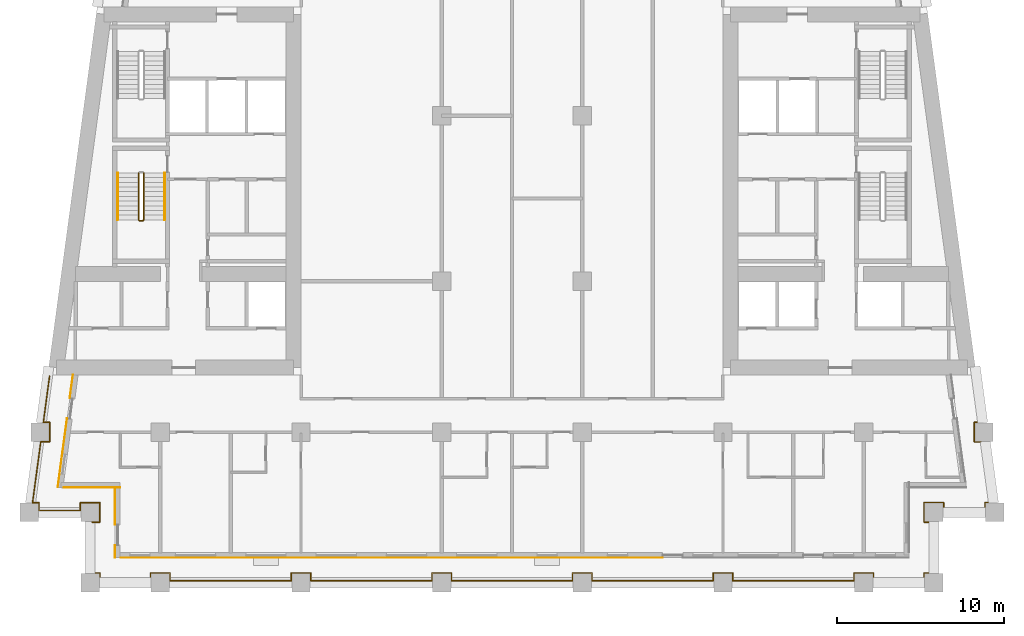
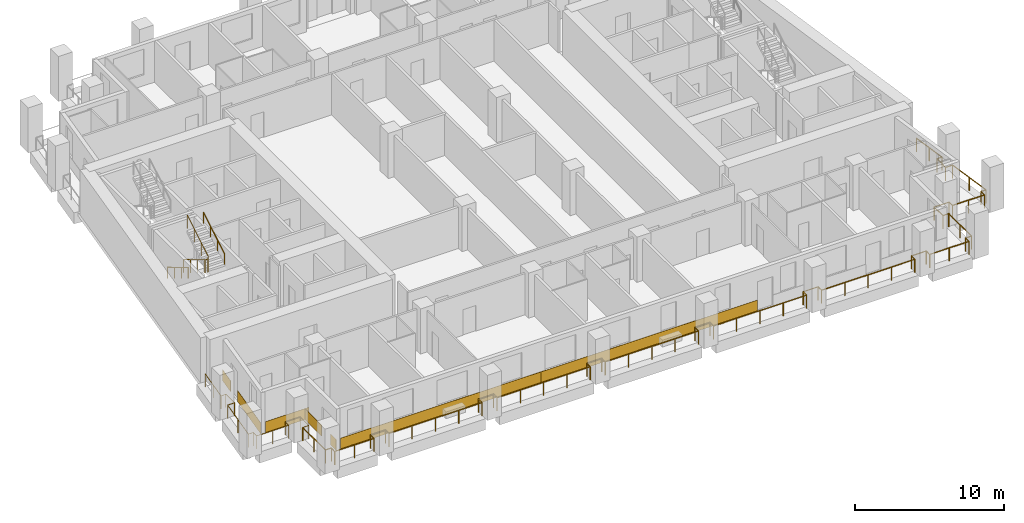
# One storey, part 9 of 13: 7 coverings, 5 railings.
"""IFC4 building model written with IfcOpenShell, lengths in metres."""

from ifc_helpers import new_model, si_unit, direction, frame, origin, origin_2d, place, context, subcontext, project, spatial, rectangle, circle, extrude, material, layer, layer_set, type_object, element, save


model = new_model("IFC4")

# Units and contexts
model_context = context("Model", 3, precision=1e-05, world=origin(), true_north=direction((0.0, 1.0)))
body_context = subcontext(model_context, "Body", "Model", "MODEL_VIEW")
ifc_project = project(units=[si_unit("LENGTHUNIT", "METRE"), si_unit("AREAUNIT", "SQUARE_METRE"), si_unit("VOLUMEUNIT", "CUBIC_METRE"), si_unit("PLANEANGLEUNIT", "RADIAN"), si_unit("MASSUNIT", "GRAM", prefix="KILO")], contexts=[model_context])

# Site, building, storey
site_placement = place(None, origin())
site = spatial("IfcSite", under=ifc_project, at=site_placement, CompositionType="ELEMENT")
building_placement = place(site_placement, origin())
building = spatial("IfcBuilding", under=site, at=building_placement, Name="Candeia Pilgrim Tower and Theatre", CompositionType="ELEMENT")
storey_placement = place(building_placement, frame((0.0, 0.0, 158.89990234375)))
storey = spatial("IfcBuildingStorey", under=building, at=storey_placement, Name="L37", CompositionType="ELEMENT", Elevation=158.89990234375)

# Railings
ifc_material_1 = material(Name="Stainless steel balustrade", Category="steel")
railing_type_1 = type_object("IfcRailingType", Name="G1 loggia guard 1100", PredefinedType="GUARDRAIL", material=ifc_material_1)
railing_1_placement = place(storey_placement, frame((88.320068359375, 101.6201171875, 0.0)))
element("IfcRailing", 1, at=railing_1_placement, inside=storey, type_object=railing_type_1, Name="Guard L37.1", PredefinedType="GUARDRAIL", context=body_context, shape_type="SweptSolid", body=[
    extrude(circle(Radius=0.02392578125, at=origin_2d()), frame((0.0, 0.0, 1.076171875), z_axis=(1.0, 0.0, 0.0), x_axis=(0.0, 1.0, 0.0)), (0.0, 0.0, 1.0), 0.4599609375),
    extrude(circle(Radius=0.02392578125, at=origin_2d()), frame((0.4599609375, 0.0, 1.076171875), z_axis=(0.0, 1.0, 0.0), x_axis=(-1.0, 0.0, 0.0)), (0.0, 0.0, 1.0), 1.159912109375),
    extrude(circle(Radius=0.02392578125, at=origin_2d()), frame((0.4599609375, 1.159912109375, 1.076171875), z_axis=(-1.0, 0.0, 0.0), x_axis=(0.0, -1.0, 0.0)), (0.0, 0.0, 1.0), 1.159912109375),
    extrude(circle(Radius=0.02392578125, at=origin_2d()), frame((-0.699951171875, 1.159912109375, 1.076171875), z_axis=(0.0, -1.0, 0.0), x_axis=(1.0, 0.0, 0.0)), (0.0, 0.0, 1.0), 0.4599609375),
    extrude(circle(Radius=0.02392578125, at=origin_2d()), frame((-0.699951171875, 0.699951171875, 1.076171875), z_axis=(-1.0, 0.0, 0.0), x_axis=(0.0, -1.0, 0.0)), (0.0, 0.0, 1.0), 2.474853515625),
    extrude(circle(Radius=0.02392578125, at=origin_2d()), frame((-3.1748046875, 0.699951171875, 1.076171875), z_axis=(0.0, 1.0, 0.0), x_axis=(-1.0, 0.0, 0.0)), (0.0, 0.0, 1.0), 0.4599609375),
    extrude(circle(Radius=0.02392578125, at=origin_2d()), frame((-3.1748046875, 1.159912109375, 1.076171875), z_axis=(-1.0, 0.0, 0.0), x_axis=(0.0, -1.0, 0.0)), (0.0, 0.0, 1.0), 0.380615234375),
    extrude(circle(Radius=0.02392578125, at=origin_2d()), frame((-3.555419921875, 1.159912109375, 1.076171875), z_axis=(0.133413267734, 0.9910604926, 0.0), x_axis=(-0.9910604926, 0.133413267734, 0.0)), (0.0, 0.0, 1.0), 3.672607421875),
    extrude(circle(Radius=0.02392578125, at=origin_2d()), frame((-3.0654296875, 4.7998046875, 1.076171875), z_axis=(1.0, 0.0, 0.0), x_axis=(0.0, 1.0, 0.0)), (0.0, 0.0, 1.0), 0.536865234375),
    extrude(circle(Radius=0.02392578125, at=origin_2d()), frame((-2.528564453125, 4.7998046875, 1.076171875), z_axis=(0.0, 1.0, 0.0), x_axis=(-1.0, 0.0, 0.0)), (0.0, 0.0, 1.0), 1.16015625),
    extrude(circle(Radius=0.02392578125, at=origin_2d()), frame((-2.528564453125, 5.9599609375, 1.076171875), z_axis=(-1.0, 0.0, 0.0), x_axis=(0.0, -1.0, 0.0)), (0.0, 0.0, 1.0), 0.380859375),
    extrude(circle(Radius=0.02392578125, at=origin_2d()), frame((-2.909423828125, 5.9599609375, 1.076171875), z_axis=(0.133468107709, 0.99105310868, 0.0), x_axis=(-0.99105310868, 0.133468107709, 0.0)), (0.0, 0.0, 1.0), 2.794921875),
    extrude(circle(Radius=0.02099609375, at=origin_2d()), origin(), (0.0, 0.0, 1.0), 1.052001953125),
    extrude(circle(Radius=0.02099609375, at=origin_2d()), frame((0.4599609375, 0.0, 0.0)), (0.0, 0.0, 1.0), 1.052001953125),
    extrude(circle(Radius=0.02099609375, at=origin_2d()), frame((0.4599609375, 1.159912109375, 0.0)), (0.0, 0.0, 1.0), 1.052001953125),
    extrude(circle(Radius=0.02099609375, at=origin_2d()), frame((-0.699951171875, 1.159912109375, 0.0)), (0.0, 0.0, 1.0), 1.052001953125),
    extrude(circle(Radius=0.02099609375, at=origin_2d()), frame((-0.699951171875, 0.699951171875, 0.0)), (0.0, 0.0, 1.0), 1.052001953125),
    extrude(circle(Radius=0.02099609375, at=origin_2d()), frame((-1.9375, 0.699951171875, 0.0)), (0.0, 0.0, 1.0), 1.052001953125),
    extrude(circle(Radius=0.02099609375, at=origin_2d()), frame((-3.1748046875, 0.699951171875, 0.0)), (0.0, 0.0, 1.0), 1.052001953125),
    extrude(circle(Radius=0.02099609375, at=origin_2d()), frame((-3.1748046875, 1.159912109375, 0.0)), (0.0, 0.0, 1.0), 1.052001953125),
    extrude(circle(Radius=0.02099609375, at=origin_2d()), frame((-3.555419921875, 1.159912109375, 0.0)), (0.0, 0.0, 1.0), 1.052001953125),
    extrude(circle(Radius=0.02099609375, at=origin_2d()), frame((-3.310546875, 2.97998046875, 0.0)), (0.0, 0.0, 1.0), 1.052001953125),
    extrude(circle(Radius=0.02099609375, at=origin_2d()), frame((-3.0654296875, 4.7998046875, 0.0)), (0.0, 0.0, 1.0), 1.052001953125),
    extrude(circle(Radius=0.02099609375, at=origin_2d()), frame((-2.528564453125, 4.7998046875, 0.0)), (0.0, 0.0, 1.0), 1.052001953125),
    extrude(circle(Radius=0.02099609375, at=origin_2d()), frame((-2.528564453125, 5.9599609375, 0.0)), (0.0, 0.0, 1.0), 1.052001953125),
    extrude(circle(Radius=0.02099609375, at=origin_2d()), frame((-2.909423828125, 5.9599609375, 0.0)), (0.0, 0.0, 1.0), 1.052001953125),
    extrude(circle(Radius=0.02099609375, at=origin_2d()), frame((-2.722900390625, 7.344970703125, 0.0)), (0.0, 0.0, 1.0), 1.052001953125),
    extrude(circle(Radius=0.02099609375, at=origin_2d()), frame((-2.536376953125, 8.72998046875, 0.0)), (0.0, 0.0, 1.0), 1.052001953125),
])
railing_2_placement = place(storey_placement, frame((141.016357421875, 110.35009765625, 0.0)))
element("IfcRailing", 2, at=railing_2_placement, inside=storey, type_object=railing_type_1, Name="Guard L37.4", PredefinedType="GUARDRAIL", context=body_context, shape_type="SweptSolid", body=[
    extrude(circle(Radius=0.02392578125, at=origin_2d()), frame((0.0, 0.0, 1.076171875), z_axis=(0.133468107709, -0.99105310868, 0.0), x_axis=(0.99105310868, 0.133468107709, 0.0)), (0.0, 0.0, 1.0), 2.794921875),
    extrude(circle(Radius=0.02392578125, at=origin_2d()), frame((0.373046875, -2.77001953125, 1.076171875), z_axis=(-1.0, 0.0, 0.0), x_axis=(0.0, -1.0, 0.0)), (0.0, 0.0, 1.0), 0.380859375),
    extrude(circle(Radius=0.02392578125, at=origin_2d()), frame((-0.0078125, -2.77001953125, 1.076171875), z_axis=(0.0, -1.0, 0.0), x_axis=(1.0, 0.0, 0.0)), (0.0, 0.0, 1.0), 1.16015625),
    extrude(circle(Radius=0.02392578125, at=origin_2d()), frame((-0.0078125, -3.93017578125, 1.076171875), z_axis=(1.0, 0.0, 0.0), x_axis=(0.0, 1.0, 0.0)), (0.0, 0.0, 1.0), 0.536865234375),
    extrude(circle(Radius=0.02392578125, at=origin_2d()), frame((0.529052734375, -3.93017578125, 1.076171875), z_axis=(0.133413267734, -0.9910604926, 0.0), x_axis=(0.9910604926, 0.133413267734, 0.0)), (0.0, 0.0, 1.0), 3.672607421875),
    extrude(circle(Radius=0.02392578125, at=origin_2d()), frame((1.01904296875, -7.570068359375, 1.076171875), z_axis=(-1.0, 0.0, 0.0), x_axis=(0.0, -1.0, 0.0)), (0.0, 0.0, 1.0), 0.380859375),
    extrude(circle(Radius=0.02392578125, at=origin_2d()), frame((0.63818359375, -7.570068359375, 1.076171875), z_axis=(0.0, -1.0, 0.0), x_axis=(1.0, 0.0, 0.0)), (0.0, 0.0, 1.0), 0.4599609375),
    extrude(circle(Radius=0.02392578125, at=origin_2d()), frame((0.63818359375, -8.030029296875, 1.076171875), z_axis=(-1.0, 0.0, 0.0), x_axis=(0.0, -1.0, 0.0)), (0.0, 0.0, 1.0), 2.474609375),
    extrude(circle(Radius=0.02392578125, at=origin_2d()), frame((-1.83642578125, -8.030029296875, 1.076171875), z_axis=(0.0, 1.0, 0.0), x_axis=(-1.0, 0.0, 0.0)), (0.0, 0.0, 1.0), 0.4599609375),
    extrude(circle(Radius=0.02392578125, at=origin_2d()), frame((-1.83642578125, -7.570068359375, 1.076171875), z_axis=(-1.0, 0.0, 0.0), x_axis=(0.0, -1.0, 0.0)), (0.0, 0.0, 1.0), 1.159912109375),
    extrude(circle(Radius=0.02392578125, at=origin_2d()), frame((-2.996337890625, -7.570068359375, 1.076171875), z_axis=(0.0, -1.0, 0.0), x_axis=(1.0, 0.0, 0.0)), (0.0, 0.0, 1.0), 1.159912109375),
    extrude(circle(Radius=0.02392578125, at=origin_2d()), frame((-2.996337890625, -8.72998046875, 1.076171875), z_axis=(1.0, 0.0, 0.0), x_axis=(0.0, 1.0, 0.0)), (0.0, 0.0, 1.0), 0.4599609375),
    extrude(circle(Radius=0.02392578125, at=origin_2d()), frame((-2.536376953125, -8.72998046875, 1.076171875), z_axis=(0.0, -1.0, 0.0), x_axis=(1.0, 0.0, 0.0)), (0.0, 0.0, 1.0), 3.0400390625),
    extrude(circle(Radius=0.02392578125, at=origin_2d()), frame((-2.536376953125, -11.77001953125, 1.076171875), z_axis=(-1.0, 0.0, 0.0), x_axis=(0.0, -1.0, 0.0)), (0.0, 0.0, 1.0), 0.4599609375),
    extrude(circle(Radius=0.02392578125, at=origin_2d()), frame((-2.996337890625, -11.77001953125, 1.076171875), z_axis=(0.0, -1.0, 0.0), x_axis=(1.0, 0.0, 0.0)), (0.0, 0.0, 1.0), 0.4599609375),
    extrude(circle(Radius=0.02392578125, at=origin_2d()), frame((-2.996337890625, -12.22998046875, 1.076171875), z_axis=(-1.0, 0.0, 0.0), x_axis=(0.0, -1.0, 0.0)), (0.0, 0.0, 1.0), 3.0400390625),
    extrude(circle(Radius=0.02392578125, at=origin_2d()), frame((-6.036376953125, -12.22998046875, 1.076171875), z_axis=(0.0, 1.0, 0.0), x_axis=(-1.0, 0.0, 0.0)), (0.0, 0.0, 1.0), 0.4599609375),
    extrude(circle(Radius=0.02392578125, at=origin_2d()), frame((-6.036376953125, -11.77001953125, 1.076171875), z_axis=(-1.0, 0.0, 0.0), x_axis=(0.0, -1.0, 0.0)), (0.0, 0.0, 1.0), 1.159912109375),
    extrude(circle(Radius=0.02392578125, at=origin_2d()), frame((-7.1962890625, -11.77001953125, 1.076171875), z_axis=(0.0, -1.0, 0.0), x_axis=(1.0, 0.0, 0.0)), (0.0, 0.0, 1.0), 0.4599609375),
    extrude(circle(Radius=0.02392578125, at=origin_2d()), frame((-7.1962890625, -12.22998046875, 1.076171875), z_axis=(-1.0, 0.0, 0.0), x_axis=(0.0, -1.0, 0.0)), (0.0, 0.0, 1.0), 7.239990234375),
    extrude(circle(Radius=0.02392578125, at=origin_2d()), frame((-14.436279296875, -12.22998046875, 1.076171875), z_axis=(0.0, 1.0, 0.0), x_axis=(-1.0, 0.0, 0.0)), (0.0, 0.0, 1.0), 0.4599609375),
    extrude(circle(Radius=0.02392578125, at=origin_2d()), frame((-14.436279296875, -11.77001953125, 1.076171875), z_axis=(-1.0, 0.0, 0.0), x_axis=(0.0, -1.0, 0.0)), (0.0, 0.0, 1.0), 1.16015625),
    extrude(circle(Radius=0.02392578125, at=origin_2d()), frame((-15.596435546875, -11.77001953125, 1.076171875), z_axis=(0.0, -1.0, 0.0), x_axis=(1.0, 0.0, 0.0)), (0.0, 0.0, 1.0), 0.4599609375),
    extrude(circle(Radius=0.02392578125, at=origin_2d()), frame((-15.596435546875, -12.22998046875, 1.076171875), z_axis=(-1.0, 0.0, 0.0), x_axis=(0.0, -1.0, 0.0)), (0.0, 0.0, 1.0), 7.239990234375),
    extrude(circle(Radius=0.02392578125, at=origin_2d()), frame((-22.83642578125, -12.22998046875, 1.076171875), z_axis=(0.0, 1.0, 0.0), x_axis=(-1.0, 0.0, 0.0)), (0.0, 0.0, 1.0), 0.4599609375),
    extrude(circle(Radius=0.02392578125, at=origin_2d()), frame((-22.83642578125, -11.77001953125, 1.076171875), z_axis=(-1.0, 0.0, 0.0), x_axis=(0.0, -1.0, 0.0)), (0.0, 0.0, 1.0), 1.159912109375),
    extrude(circle(Radius=0.02392578125, at=origin_2d()), frame((-23.996337890625, -11.77001953125, 1.076171875), z_axis=(0.0, -1.0, 0.0), x_axis=(1.0, 0.0, 0.0)), (0.0, 0.0, 1.0), 0.4599609375),
    extrude(circle(Radius=0.02392578125, at=origin_2d()), frame((-23.996337890625, -12.22998046875, 1.076171875), z_axis=(-1.0, 0.0, 0.0), x_axis=(0.0, -1.0, 0.0)), (0.0, 0.0, 1.0), 7.239990234375),
    extrude(circle(Radius=0.02392578125, at=origin_2d()), frame((-31.236328125, -12.22998046875, 1.076171875), z_axis=(0.0, 1.0, 0.0), x_axis=(-1.0, 0.0, 0.0)), (0.0, 0.0, 1.0), 0.4599609375),
    extrude(circle(Radius=0.02392578125, at=origin_2d()), frame((-31.236328125, -11.77001953125, 1.076171875), z_axis=(-1.0, 0.0, 0.0), x_axis=(0.0, -1.0, 0.0)), (0.0, 0.0, 1.0), 1.159912109375),
    extrude(circle(Radius=0.02392578125, at=origin_2d()), frame((-32.396240234375, -11.77001953125, 1.076171875), z_axis=(0.0, -1.0, 0.0), x_axis=(1.0, 0.0, 0.0)), (0.0, 0.0, 1.0), 0.4599609375),
    extrude(circle(Radius=0.02392578125, at=origin_2d()), frame((-32.396240234375, -12.22998046875, 1.076171875), z_axis=(-1.0, 0.0, 0.0), x_axis=(0.0, -1.0, 0.0)), (0.0, 0.0, 1.0), 7.240234375),
    extrude(circle(Radius=0.02392578125, at=origin_2d()), frame((-39.636474609375, -12.22998046875, 1.076171875), z_axis=(0.0, 1.0, 0.0), x_axis=(-1.0, 0.0, 0.0)), (0.0, 0.0, 1.0), 0.4599609375),
    extrude(circle(Radius=0.02392578125, at=origin_2d()), frame((-39.636474609375, -11.77001953125, 1.076171875), z_axis=(-1.0, 0.0, 0.0), x_axis=(0.0, -1.0, 0.0)), (0.0, 0.0, 1.0), 1.159912109375),
    extrude(circle(Radius=0.02392578125, at=origin_2d()), frame((-40.79638671875, -11.77001953125, 1.076171875), z_axis=(0.0, -1.0, 0.0), x_axis=(1.0, 0.0, 0.0)), (0.0, 0.0, 1.0), 0.4599609375),
    extrude(circle(Radius=0.02392578125, at=origin_2d()), frame((-40.79638671875, -12.22998046875, 1.076171875), z_axis=(-1.0, 0.0, 0.0), x_axis=(0.0, -1.0, 0.0)), (0.0, 0.0, 1.0), 7.239990234375),
    extrude(circle(Radius=0.02392578125, at=origin_2d()), frame((-48.036376953125, -12.22998046875, 1.076171875), z_axis=(0.0, 1.0, 0.0), x_axis=(-1.0, 0.0, 0.0)), (0.0, 0.0, 1.0), 0.4599609375),
    extrude(circle(Radius=0.02392578125, at=origin_2d()), frame((-48.036376953125, -11.77001953125, 1.076171875), z_axis=(-1.0, 0.0, 0.0), x_axis=(0.0, -1.0, 0.0)), (0.0, 0.0, 1.0), 1.159912109375),
    extrude(circle(Radius=0.02392578125, at=origin_2d()), frame((-49.1962890625, -11.77001953125, 1.076171875), z_axis=(0.0, -1.0, 0.0), x_axis=(1.0, 0.0, 0.0)), (0.0, 0.0, 1.0), 0.4599609375),
    extrude(circle(Radius=0.02392578125, at=origin_2d()), frame((-49.1962890625, -12.22998046875, 1.076171875), z_axis=(-1.0, 0.0, 0.0), x_axis=(0.0, -1.0, 0.0)), (0.0, 0.0, 1.0), 3.0400390625),
    extrude(circle(Radius=0.02392578125, at=origin_2d()), frame((-52.236328125, -12.22998046875, 1.076171875), z_axis=(0.0, 1.0, 0.0), x_axis=(-1.0, 0.0, 0.0)), (0.0, 0.0, 1.0), 0.4599609375),
    extrude(circle(Radius=0.02392578125, at=origin_2d()), frame((-52.236328125, -11.77001953125, 1.076171875), z_axis=(-1.0, 0.0, 0.0), x_axis=(0.0, -1.0, 0.0)), (0.0, 0.0, 1.0), 0.4599609375),
    extrude(circle(Radius=0.02392578125, at=origin_2d()), frame((-52.6962890625, -11.77001953125, 1.076171875), z_axis=(0.0, 1.0, 0.0), x_axis=(-1.0, 0.0, 0.0)), (0.0, 0.0, 1.0), 3.0400390625),
    extrude(circle(Radius=0.02099609375, at=origin_2d()), origin(), (0.0, 0.0, 1.0), 1.052001953125),
    extrude(circle(Radius=0.02099609375, at=origin_2d()), frame((0.1865234375, -1.385009765625, 0.0)), (0.0, 0.0, 1.0), 1.052001953125),
    extrude(circle(Radius=0.02099609375, at=origin_2d()), frame((0.373046875, -2.77001953125, 0.0)), (0.0, 0.0, 1.0), 1.052001953125),
    extrude(circle(Radius=0.02099609375, at=origin_2d()), frame((-0.0078125, -2.77001953125, 0.0)), (0.0, 0.0, 1.0), 1.052001953125),
    extrude(circle(Radius=0.02099609375, at=origin_2d()), frame((-0.0078125, -3.93017578125, 0.0)), (0.0, 0.0, 1.0), 1.052001953125),
    extrude(circle(Radius=0.02099609375, at=origin_2d()), frame((0.529052734375, -3.93017578125, 0.0)), (0.0, 0.0, 1.0), 1.052001953125),
    extrude(circle(Radius=0.02099609375, at=origin_2d()), frame((0.77392578125, -5.75, 0.0)), (0.0, 0.0, 1.0), 1.052001953125),
    extrude(circle(Radius=0.02099609375, at=origin_2d()), frame((1.01904296875, -7.570068359375, 0.0)), (0.0, 0.0, 1.0), 1.052001953125),
    extrude(circle(Radius=0.02099609375, at=origin_2d()), frame((0.63818359375, -7.570068359375, 0.0)), (0.0, 0.0, 1.0), 1.052001953125),
    extrude(circle(Radius=0.02099609375, at=origin_2d()), frame((0.63818359375, -8.030029296875, 0.0)), (0.0, 0.0, 1.0), 1.052001953125),
    extrude(circle(Radius=0.02099609375, at=origin_2d()), frame((-0.59912109375, -8.030029296875, 0.0)), (0.0, 0.0, 1.0), 1.052001953125),
    extrude(circle(Radius=0.02099609375, at=origin_2d()), frame((-1.83642578125, -8.030029296875, 0.0)), (0.0, 0.0, 1.0), 1.052001953125),
    extrude(circle(Radius=0.02099609375, at=origin_2d()), frame((-1.83642578125, -7.570068359375, 0.0)), (0.0, 0.0, 1.0), 1.052001953125),
    extrude(circle(Radius=0.02099609375, at=origin_2d()), frame((-2.996337890625, -7.570068359375, 0.0)), (0.0, 0.0, 1.0), 1.052001953125),
    extrude(circle(Radius=0.02099609375, at=origin_2d()), frame((-2.996337890625, -8.72998046875, 0.0)), (0.0, 0.0, 1.0), 1.052001953125),
    extrude(circle(Radius=0.02099609375, at=origin_2d()), frame((-2.536376953125, -8.72998046875, 0.0)), (0.0, 0.0, 1.0), 1.052001953125),
    extrude(circle(Radius=0.02099609375, at=origin_2d()), frame((-2.536376953125, -10.25, 0.0)), (0.0, 0.0, 1.0), 1.052001953125),
    extrude(circle(Radius=0.02099609375, at=origin_2d()), frame((-2.536376953125, -11.77001953125, 0.0)), (0.0, 0.0, 1.0), 1.052001953125),
    extrude(circle(Radius=0.02099609375, at=origin_2d()), frame((-2.996337890625, -11.77001953125, 0.0)), (0.0, 0.0, 1.0), 1.052001953125),
    extrude(circle(Radius=0.02099609375, at=origin_2d()), frame((-2.996337890625, -12.22998046875, 0.0)), (0.0, 0.0, 1.0), 1.052001953125),
    extrude(circle(Radius=0.02099609375, at=origin_2d()), frame((-4.516357421875, -12.22998046875, 0.0)), (0.0, 0.0, 1.0), 1.052001953125),
    extrude(circle(Radius=0.02099609375, at=origin_2d()), frame((-6.036376953125, -12.22998046875, 0.0)), (0.0, 0.0, 1.0), 1.052001953125),
    extrude(circle(Radius=0.02099609375, at=origin_2d()), frame((-6.036376953125, -11.77001953125, 0.0)), (0.0, 0.0, 1.0), 1.052001953125),
    extrude(circle(Radius=0.02099609375, at=origin_2d()), frame((-7.1962890625, -11.77001953125, 0.0)), (0.0, 0.0, 1.0), 1.052001953125),
    extrude(circle(Radius=0.02099609375, at=origin_2d()), frame((-7.1962890625, -12.22998046875, 0.0)), (0.0, 0.0, 1.0), 1.052001953125),
    extrude(circle(Radius=0.02099609375, at=origin_2d()), frame((-9.00634765625, -12.22998046875, 0.0)), (0.0, 0.0, 1.0), 1.052001953125),
    extrude(circle(Radius=0.02099609375, at=origin_2d()), frame((-10.81640625, -12.22998046875, 0.0)), (0.0, 0.0, 1.0), 1.052001953125),
    extrude(circle(Radius=0.02099609375, at=origin_2d()), frame((-12.626220703125, -12.22998046875, 0.0)), (0.0, 0.0, 1.0), 1.052001953125),
    extrude(circle(Radius=0.02099609375, at=origin_2d()), frame((-14.436279296875, -12.22998046875, 0.0)), (0.0, 0.0, 1.0), 1.052001953125),
    extrude(circle(Radius=0.02099609375, at=origin_2d()), frame((-14.436279296875, -11.77001953125, 0.0)), (0.0, 0.0, 1.0), 1.052001953125),
    extrude(circle(Radius=0.02099609375, at=origin_2d()), frame((-15.596435546875, -11.77001953125, 0.0)), (0.0, 0.0, 1.0), 1.052001953125),
    extrude(circle(Radius=0.02099609375, at=origin_2d()), frame((-15.596435546875, -12.22998046875, 0.0)), (0.0, 0.0, 1.0), 1.052001953125),
    extrude(circle(Radius=0.02099609375, at=origin_2d()), frame((-17.406494140625, -12.22998046875, 0.0)), (0.0, 0.0, 1.0), 1.052001953125),
    extrude(circle(Radius=0.02099609375, at=origin_2d()), frame((-19.21630859375, -12.22998046875, 0.0)), (0.0, 0.0, 1.0), 1.052001953125),
    extrude(circle(Radius=0.02099609375, at=origin_2d()), frame((-21.0263671875, -12.22998046875, 0.0)), (0.0, 0.0, 1.0), 1.052001953125),
    extrude(circle(Radius=0.02099609375, at=origin_2d()), frame((-22.83642578125, -12.22998046875, 0.0)), (0.0, 0.0, 1.0), 1.052001953125),
    extrude(circle(Radius=0.02099609375, at=origin_2d()), frame((-22.83642578125, -11.77001953125, 0.0)), (0.0, 0.0, 1.0), 1.052001953125),
    extrude(circle(Radius=0.02099609375, at=origin_2d()), frame((-23.996337890625, -11.77001953125, 0.0)), (0.0, 0.0, 1.0), 1.052001953125),
    extrude(circle(Radius=0.02099609375, at=origin_2d()), frame((-23.996337890625, -12.22998046875, 0.0)), (0.0, 0.0, 1.0), 1.052001953125),
    extrude(circle(Radius=0.02099609375, at=origin_2d()), frame((-25.806396484375, -12.22998046875, 0.0)), (0.0, 0.0, 1.0), 1.052001953125),
    extrude(circle(Radius=0.02099609375, at=origin_2d()), frame((-27.6162109375, -12.22998046875, 0.0)), (0.0, 0.0, 1.0), 1.052001953125),
    extrude(circle(Radius=0.02099609375, at=origin_2d()), frame((-29.42626953125, -12.22998046875, 0.0)), (0.0, 0.0, 1.0), 1.052001953125),
    extrude(circle(Radius=0.02099609375, at=origin_2d()), frame((-31.236328125, -12.22998046875, 0.0)), (0.0, 0.0, 1.0), 1.052001953125),
    extrude(circle(Radius=0.02099609375, at=origin_2d()), frame((-31.236328125, -11.77001953125, 0.0)), (0.0, 0.0, 1.0), 1.052001953125),
    extrude(circle(Radius=0.02099609375, at=origin_2d()), frame((-32.396240234375, -11.77001953125, 0.0)), (0.0, 0.0, 1.0), 1.052001953125),
    extrude(circle(Radius=0.02099609375, at=origin_2d()), frame((-32.396240234375, -12.22998046875, 0.0)), (0.0, 0.0, 1.0), 1.052001953125),
    extrude(circle(Radius=0.02099609375, at=origin_2d()), frame((-34.206298828125, -12.22998046875, 0.0)), (0.0, 0.0, 1.0), 1.052001953125),
    extrude(circle(Radius=0.02099609375, at=origin_2d()), frame((-36.016357421875, -12.22998046875, 0.0)), (0.0, 0.0, 1.0), 1.052001953125),
    extrude(circle(Radius=0.02099609375, at=origin_2d()), frame((-37.826416015625, -12.22998046875, 0.0)), (0.0, 0.0, 1.0), 1.052001953125),
    extrude(circle(Radius=0.02099609375, at=origin_2d()), frame((-39.636474609375, -12.22998046875, 0.0)), (0.0, 0.0, 1.0), 1.052001953125),
    extrude(circle(Radius=0.02099609375, at=origin_2d()), frame((-39.636474609375, -11.77001953125, 0.0)), (0.0, 0.0, 1.0), 1.052001953125),
    extrude(circle(Radius=0.02099609375, at=origin_2d()), frame((-40.79638671875, -11.77001953125, 0.0)), (0.0, 0.0, 1.0), 1.052001953125),
    extrude(circle(Radius=0.02099609375, at=origin_2d()), frame((-40.79638671875, -12.22998046875, 0.0)), (0.0, 0.0, 1.0), 1.052001953125),
    extrude(circle(Radius=0.02099609375, at=origin_2d()), frame((-42.6064453125, -12.22998046875, 0.0)), (0.0, 0.0, 1.0), 1.052001953125),
    extrude(circle(Radius=0.02099609375, at=origin_2d()), frame((-44.41650390625, -12.22998046875, 0.0)), (0.0, 0.0, 1.0), 1.052001953125),
    extrude(circle(Radius=0.02099609375, at=origin_2d()), frame((-46.226318359375, -12.22998046875, 0.0)), (0.0, 0.0, 1.0), 1.052001953125),
    extrude(circle(Radius=0.02099609375, at=origin_2d()), frame((-48.036376953125, -12.22998046875, 0.0)), (0.0, 0.0, 1.0), 1.052001953125),
    extrude(circle(Radius=0.02099609375, at=origin_2d()), frame((-48.036376953125, -11.77001953125, 0.0)), (0.0, 0.0, 1.0), 1.052001953125),
    extrude(circle(Radius=0.02099609375, at=origin_2d()), frame((-49.1962890625, -11.77001953125, 0.0)), (0.0, 0.0, 1.0), 1.052001953125),
    extrude(circle(Radius=0.02099609375, at=origin_2d()), frame((-49.1962890625, -12.22998046875, 0.0)), (0.0, 0.0, 1.0), 1.052001953125),
    extrude(circle(Radius=0.02099609375, at=origin_2d()), frame((-50.71630859375, -12.22998046875, 0.0)), (0.0, 0.0, 1.0), 1.052001953125),
    extrude(circle(Radius=0.02099609375, at=origin_2d()), frame((-52.236328125, -12.22998046875, 0.0)), (0.0, 0.0, 1.0), 1.052001953125),
    extrude(circle(Radius=0.02099609375, at=origin_2d()), frame((-52.236328125, -11.77001953125, 0.0)), (0.0, 0.0, 1.0), 1.052001953125),
    extrude(circle(Radius=0.02099609375, at=origin_2d()), frame((-52.6962890625, -11.77001953125, 0.0)), (0.0, 0.0, 1.0), 1.052001953125),
    extrude(circle(Radius=0.02099609375, at=origin_2d()), frame((-52.6962890625, -10.25, 0.0)), (0.0, 0.0, 1.0), 1.052001953125),
    extrude(circle(Radius=0.02099609375, at=origin_2d()), frame((-52.6962890625, -8.72998046875, 0.0)), (0.0, 0.0, 1.0), 1.052001953125),
])

# Coverings
ifc_material_2 = material(Name="Glazed ceramic tile red")
ifc_layer_1 = layer(ifc_material_2, 0.02001953125)
ifc_layer_set_1 = layer_set([ifc_layer_1], Name="Glazed ceramic tile red")
covering_type_1 = type_object("IfcCoveringType", Name="Glazed ceramic tile red", PredefinedType="CLADDING", material=ifc_layer_set_1)
covering_1_placement = place(storey_placement, frame((114.0, 99.489990234375, 0.000244140625), z_axis=(0.0, 0.0, 1.0), x_axis=(1.0, 0.0, 0.0)))
element("IfcCovering", 3, at=covering_1_placement, inside=storey, type_object=covering_type_1, Name="Tile cladding red L37", PredefinedType="CLADDING", context=body_context, shape_type="SweptSolid", body=[
    extrude(rectangle(XDim=16.800048828125, YDim=0.02001953125, at=origin_2d()), origin(), (0.0, 0.0, 1.0), 0.89990234375),
])
ifc_material_3 = material(Name="Glazed ceramic tile rust")
ifc_layer_2 = layer(ifc_material_3, 0.02001953125)
ifc_layer_set_2 = layer_set([ifc_layer_2], Name="Glazed ceramic tile rust")
covering_type_2 = type_object("IfcCoveringType", Name="Glazed ceramic tile rust", PredefinedType="CLADDING", material=ifc_layer_set_2)
covering_2_placement = place(storey_placement, frame((97.81005859375, 99.489990234375, 0.000244140625), z_axis=(0.0, 0.0, 1.0), x_axis=(1.0, 0.0, 0.0)))
element("IfcCovering", 4, at=covering_2_placement, inside=storey, type_object=covering_type_2, Name="Tile cladding rust L37", PredefinedType="CLADDING", context=body_context, shape_type="SweptSolid", body=[
    extrude(rectangle(XDim=15.580078125, YDim=0.02001953125, at=origin_2d()), origin(), (0.0, 0.0, 1.0), 0.89990234375),
])
covering_3_placement = place(storey_placement, frame((87.0810546875, 109.71875, 0.000244140625), z_axis=(0.0, 0.0, 1.0), x_axis=(-0.133412012145, -0.991060661622, 0.0)))
element("IfcCovering", 5, at=covering_3_placement, inside=storey, type_object=covering_type_2, Name="Tile cladding rust L37", PredefinedType="CLADDING", context=body_context, shape_type="SweptSolid", body=[
    extrude(rectangle(XDim=1.41796875, YDim=0.02001953125, at=origin_2d()), origin(), (0.0, 0.0, 1.0), 0.89990234375),
])
covering_4_placement = place(storey_placement, frame((86.548583984375, 105.763916015625, 0.000244140625), z_axis=(0.0, 0.0, 1.0), x_axis=(-0.133412012145, -0.991060661622, 0.0)))
element("IfcCovering", 6, at=covering_4_placement, inside=storey, type_object=covering_type_2, Name="Tile cladding rust L37", PredefinedType="CLADDING", context=body_context, shape_type="SweptSolid", body=[
    extrude(rectangle(XDim=4.16259765625, YDim=0.02001953125, at=origin_2d()), origin(), (0.0, 0.0, 1.0), 0.89990234375),
])
covering_5_placement = place(storey_placement, frame((88.311279296875, 103.68994140625, 0.000244140625), z_axis=(0.0, 0.0, 1.0), x_axis=(1.0, 0.0, 0.0)))
element("IfcCovering", 7, at=covering_5_placement, inside=storey, type_object=covering_type_2, Name="Tile cladding rust L37", PredefinedType="CLADDING", context=body_context, shape_type="SweptSolid", body=[
    extrude(rectangle(XDim=3.377685546875, YDim=0.02001953125, at=origin_2d()), origin(), (0.0, 0.0, 1.0), 0.89990234375),
])
covering_6_placement = place(storey_placement, frame((89.68994140625, 102.56494140625, 0.000244140625), z_axis=(0.0, 0.0, 1.0), x_axis=(0.0, -1.0, 0.0)))
element("IfcCovering", 8, at=covering_6_placement, inside=storey, type_object=covering_type_2, Name="Tile cladding rust L37", PredefinedType="CLADDING", context=body_context, shape_type="SweptSolid", body=[
    extrude(rectangle(XDim=2.22998046875, YDim=0.02001953125, at=origin_2d()), origin(), (0.0, 0.0, 1.0), 0.89990234375),
])
covering_7_placement = place(storey_placement, frame((89.68994140625, 99.875, 0.000244140625), z_axis=(0.0, 0.0, 1.0), x_axis=(0.0, -1.0, 0.0)))
element("IfcCovering", 9, at=covering_7_placement, inside=storey, type_object=covering_type_2, Name="Tile cladding rust L37", PredefinedType="CLADDING", context=body_context, shape_type="SweptSolid", body=[
    extrude(rectangle(XDim=0.75, YDim=0.02001953125, at=origin_2d()), origin(), (0.0, 0.0, 1.0), 0.89990234375),
])

# Railings
railing_type_2 = type_object("IfcRailingType", Name="RL-GUARD-1100", PredefinedType="GUARDRAIL", material=ifc_material_1)
railing_3_placement = place(storey_placement, frame((91.10205078125, 122.47509765625, 0.168212890625)))
element("IfcRailing", 10, at=railing_3_placement, inside=storey, type_object=railing_type_2, Name="L37 ST1 stair guard 1", PredefinedType="GUARDRAIL", context=body_context, shape_type="SweptSolid", body=[
    extrude(circle(Radius=0.02392578125, at=origin_2d()), frame((0.0, 0.0, 1.076171875), z_axis=(0.0, -0.857242210791, 0.514913383045), x_axis=(1.0, 0.0, 0.0)), (0.0, 0.0, 1.0), 3.266357421875),
    extrude(circle(Radius=0.02392578125, at=origin_2d()), frame((0.0, -2.800048828125, 2.7578125), z_axis=(0.707106781187, -0.707106781187, 0.0), x_axis=(0.707106781187, 0.707106781187, 0.0)), (0.0, 0.0, 1.0), 0.07080078125),
    extrude(circle(Radius=0.02392578125, at=origin_2d()), frame((0.050048828125, -2.85009765625, 2.7578125), z_axis=(1.0, 0.0, 0.0), x_axis=(0.0, 1.0, 0.0)), (0.0, 0.0, 1.0), 0.199951171875),
    extrude(circle(Radius=0.02392578125, at=origin_2d()), frame((0.25, -2.85009765625, 2.7578125), z_axis=(0.274243871929, 0.274243871929, 0.92172696468), x_axis=(-0.707106781187, 0.707106781187, 0.0)), (0.0, 0.0, 1.0), 0.1826171875),
    extrude(circle(Radius=0.02392578125, at=origin_2d()), frame((0.300048828125, -2.800048828125, 2.92626953125), z_axis=(0.0, 0.857242210791, 0.514913383045), x_axis=(-1.0, 0.0, 0.0)), (0.0, 0.0, 1.0), 3.266357421875),
    extrude(circle(Radius=0.02099609375, at=origin_2d()), origin(), (0.0, 0.0, 1.0), 1.052001953125),
    extrude(circle(Radius=0.02099609375, at=origin_2d()), frame((0.0, -0.933349609375, 0.560546875)), (0.0, 0.0, 1.0), 1.052001953125),
    extrude(circle(Radius=0.02099609375, at=origin_2d()), frame((0.0, -1.86669921875, 1.121337890625)), (0.0, 0.0, 1.0), 1.052001953125),
    extrude(circle(Radius=0.02099609375, at=origin_2d()), frame((0.0, -2.800048828125, 1.681884765625)), (0.0, 0.0, 1.0), 1.052001953125),
    extrude(circle(Radius=0.02099609375, at=origin_2d()), frame((0.050048828125, -2.85009765625, 1.681884765625)), (0.0, 0.0, 1.0), 1.052001953125),
    extrude(circle(Radius=0.02099609375, at=origin_2d()), frame((0.25, -2.85009765625, 1.681884765625)), (0.0, 0.0, 1.0), 1.052001953125),
    extrude(circle(Radius=0.02099609375, at=origin_2d()), frame((0.300048828125, -2.800048828125, 1.85009765625)), (0.0, 0.0, 1.0), 1.052001953125),
    extrude(circle(Radius=0.02099609375, at=origin_2d()), frame((0.300048828125, -1.86669921875, 2.41064453125)), (0.0, 0.0, 1.0), 1.052001953125),
    extrude(circle(Radius=0.02099609375, at=origin_2d()), frame((0.300048828125, -0.933349609375, 2.971435546875)), (0.0, 0.0, 1.0), 1.052001953125),
    extrude(circle(Radius=0.02099609375, at=origin_2d()), frame((0.300048828125, 0.0, 3.531982421875)), (0.0, 0.0, 1.0), 1.052001953125),
])
ifc_material_4 = material(Name="Stainless steel handrail", Category="steel")
railing_type_3 = type_object("IfcRailingType", Name="RL-HANDRAIL-900", PredefinedType="HANDRAIL", material=ifc_material_4)
railing_4_placement = place(storey_placement, frame((89.85205078125, 122.47509765625, 0.168212890625)))
element("IfcRailing", 11, at=railing_4_placement, inside=storey, type_object=railing_type_3, Name="L37 ST1 stair handrail 1", PredefinedType="HANDRAIL", context=body_context, shape_type="SweptSolid", body=[
    extrude(circle(Radius=0.02392578125, at=origin_2d()), frame((0.0, 0.0, 0.8759765625), z_axis=(0.0, -0.857242210791, 0.514913383045), x_axis=(1.0, 0.0, 0.0)), (0.0, 0.0, 1.0), 3.266357421875),
    extrude(circle(Radius=0.02099609375, at=origin_2d()), origin(), (0.0, 0.0, 1.0), 0.851806640625),
    extrude(circle(Radius=0.02099609375, at=origin_2d()), frame((0.0, -0.933349609375, 0.560546875)), (0.0, 0.0, 1.0), 0.851806640625),
    extrude(circle(Radius=0.02099609375, at=origin_2d()), frame((0.0, -1.86669921875, 1.121337890625)), (0.0, 0.0, 1.0), 0.851806640625),
    extrude(circle(Radius=0.02099609375, at=origin_2d()), frame((0.0, -2.800048828125, 1.681884765625)), (0.0, 0.0, 1.0), 0.851806640625),
])
railing_5_placement = place(storey_placement, frame((92.652099609375, 119.675048828125, 2.018310546875)))
element("IfcRailing", 12, at=railing_5_placement, inside=storey, type_object=railing_type_3, Name="L37 ST1 stair handrail 2", PredefinedType="HANDRAIL", context=body_context, shape_type="SweptSolid", body=[
    extrude(circle(Radius=0.02392578125, at=origin_2d()), frame((0.0, 0.0, 0.8759765625), z_axis=(0.0, 0.857242210791, 0.514913383045), x_axis=(-1.0, 0.0, 0.0)), (0.0, 0.0, 1.0), 3.266357421875),
    extrude(circle(Radius=0.02099609375, at=origin_2d()), origin(), (0.0, 0.0, 1.0), 0.851806640625),
    extrude(circle(Radius=0.02099609375, at=origin_2d()), frame((0.0, 0.933349609375, 0.560546875)), (0.0, 0.0, 1.0), 0.851806640625),
    extrude(circle(Radius=0.02099609375, at=origin_2d()), frame((0.0, 1.86669921875, 1.121337890625)), (0.0, 0.0, 1.0), 0.851806640625),
    extrude(circle(Radius=0.02099609375, at=origin_2d()), frame((0.0, 2.800048828125, 1.681884765625)), (0.0, 0.0, 1.0), 0.851806640625),
])

save(model, "model.ifc")
